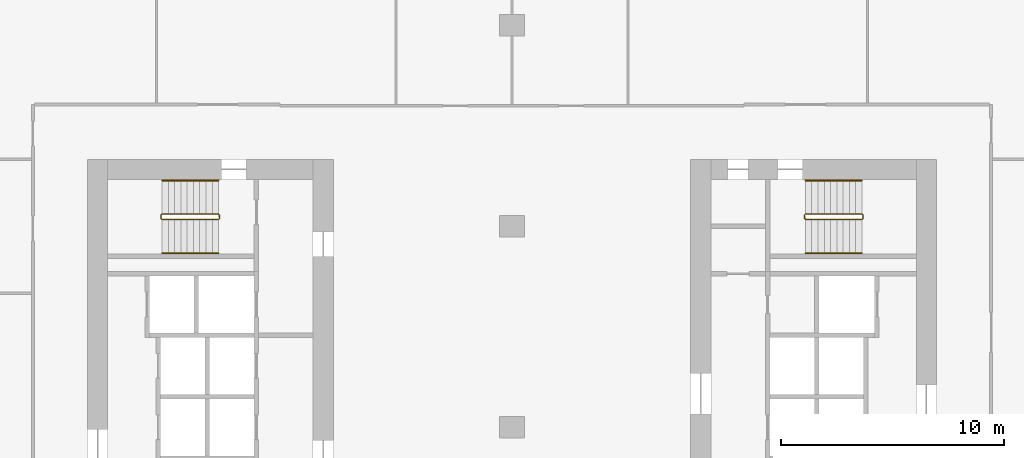
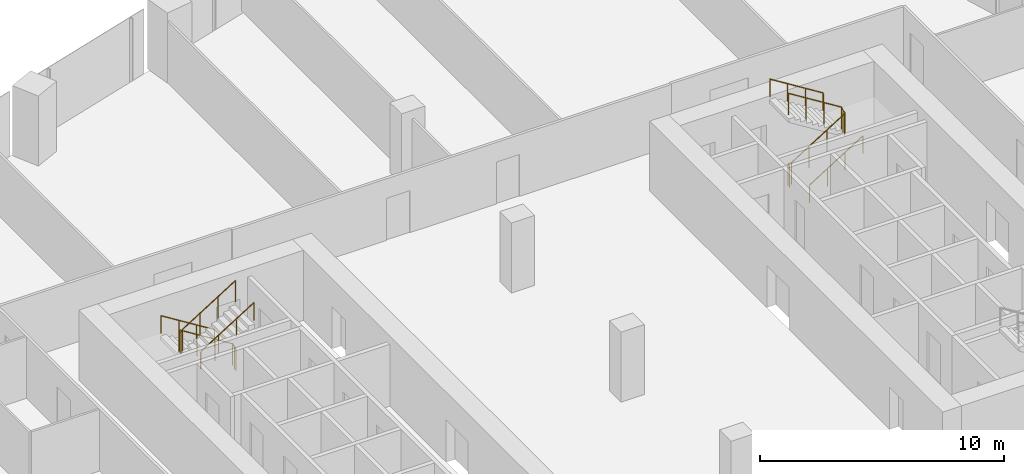
# One storey, part 31 of 31: 6 railings.
"""IFC4 building model written with IfcOpenShell, lengths in metres."""

from ifc_helpers import new_model, si_unit, direction, frame, origin, origin_2d, place, context, subcontext, project, spatial, circle, extrude, material, type_object, element, save


model = new_model("IFC4")

# Units and contexts
model_context = context("Model", 3, precision=1e-05, world=origin(), true_north=direction((0.0, 1.0)))
body_context = subcontext(model_context, "Body", "Model", "MODEL_VIEW")
ifc_project = project(units=[si_unit("LENGTHUNIT", "METRE"), si_unit("AREAUNIT", "SQUARE_METRE"), si_unit("VOLUMEUNIT", "CUBIC_METRE"), si_unit("PLANEANGLEUNIT", "RADIAN"), si_unit("MASSUNIT", "GRAM", prefix="KILO")], contexts=[model_context])

# Site, building, storey
site_placement = place(None, origin())
site = spatial("IfcSite", under=ifc_project, at=site_placement, CompositionType="ELEMENT")
building_placement = place(site_placement, origin())
building = spatial("IfcBuilding", under=site, at=building_placement, Name="Orlundy Tower", CompositionType="ELEMENT")
storey_placement = place(building_placement, frame((0.0, 0.0, 87.699951171875)))
storey = spatial("IfcBuildingStorey", under=building, at=storey_placement, Name="L21", CompositionType="ELEMENT", Elevation=87.699951171875)

# Railings
ifc_material_1 = material(Name="Steel balustrade", Category="steel")
railing_type_1 = type_object("IfcRailingType", Name="Stair Guard 1100", PredefinedType="GUARDRAIL", material=ifc_material_1)
railing_1_placement = place(storey_placement, frame((-13.090087890625, 9.5, 0.0)))
element("IfcRailing", 1, at=railing_1_placement, inside=storey, type_object=railing_type_1, Name="L21 ST-W1 stair guard 1", PredefinedType="GUARDRAIL", context=body_context, shape_type="SweptSolid", body=[
    extrude(circle(Radius=0.02392578125, at=origin_2d()), frame((0.0, 0.0, 1.076171875), z_axis=(0.0, -1.0, 0.0), x_axis=(1.0, 0.0, 0.0)), (0.0, 0.0, 1.0), 0.14990234375),
    extrude(circle(Radius=0.02392578125, at=origin_2d()), frame((0.0, -0.14990234375, 1.076171875), z_axis=(-0.18420542264, 0.739530593833, 0.647427882513), x_axis=(-0.970351222016, -0.241699205484, 0.0)), (0.0, 0.0, 1.0), 0.270263671875),
    extrude(circle(Radius=0.02392578125, at=origin_2d()), frame((-0.0498046875, 0.050048828125, 1.2509765625), z_axis=(-0.848007534815, 0.0, 0.529984170421), x_axis=(0.0, -1.0, 0.0)), (0.0, 0.0, 1.0), 2.9716796875),
    extrude(circle(Radius=0.02392578125, at=origin_2d()), frame((-2.56982421875, 0.050048828125, 2.826171875), z_axis=(-0.707106781187, -0.707106781187, 0.0), x_axis=(0.707106781187, -0.707106781187, 0.0)), (0.0, 0.0, 1.0), 0.07080078125),
    extrude(circle(Radius=0.02392578125, at=origin_2d()), frame((-2.619873046875, 0.0, 2.826171875), z_axis=(0.0, -1.0, 0.0), x_axis=(1.0, 0.0, 0.0)), (0.0, 0.0, 1.0), 0.14990234375),
    extrude(circle(Radius=0.02392578125, at=origin_2d()), frame((-2.619873046875, -0.14990234375, 2.826171875), z_axis=(0.265065253269, -0.265065253269, 0.927081885822), x_axis=(0.707106781187, 0.707106781187, 0.0)), (0.0, 0.0, 1.0), 0.188720703125),
    extrude(circle(Radius=0.02392578125, at=origin_2d()), frame((-2.56982421875, -0.199951171875, 3.0009765625), z_axis=(0.848007534815, 0.0, 0.529984170421), x_axis=(0.0, 1.0, 0.0)), (0.0, 0.0, 1.0), 2.9716796875),
    extrude(circle(Radius=0.02099609375, at=origin_2d()), origin(), (0.0, 0.0, 1.0), 1.052001953125),
    extrude(circle(Radius=0.02099609375, at=origin_2d()), frame((0.0, -0.14990234375, 0.0)), (0.0, 0.0, 1.0), 1.052001953125),
    extrude(circle(Radius=0.02099609375, at=origin_2d()), frame((-0.0498046875, 0.050048828125, 0.175048828125)), (0.0, 0.0, 1.0), 1.052001953125),
    extrude(circle(Radius=0.02099609375, at=origin_2d()), frame((-0.889892578125, 0.050048828125, 0.699951171875)), (0.0, 0.0, 1.0), 1.052001953125),
    extrude(circle(Radius=0.02099609375, at=origin_2d()), frame((-1.729736328125, 0.050048828125, 1.22509765625)), (0.0, 0.0, 1.0), 1.052001953125),
    extrude(circle(Radius=0.02099609375, at=origin_2d()), frame((-2.56982421875, 0.050048828125, 1.75)), (0.0, 0.0, 1.0), 1.052001953125),
    extrude(circle(Radius=0.02099609375, at=origin_2d()), frame((-2.619873046875, 0.0, 1.75)), (0.0, 0.0, 1.0), 1.052001953125),
    extrude(circle(Radius=0.02099609375, at=origin_2d()), frame((-2.619873046875, -0.14990234375, 1.75)), (0.0, 0.0, 1.0), 1.052001953125),
    extrude(circle(Radius=0.02099609375, at=origin_2d()), frame((-2.56982421875, -0.199951171875, 1.925048828125)), (0.0, 0.0, 1.0), 1.052001953125),
    extrude(circle(Radius=0.02099609375, at=origin_2d()), frame((-1.729736328125, -0.199951171875, 2.449951171875)), (0.0, 0.0, 1.0), 1.052001953125),
    extrude(circle(Radius=0.02099609375, at=origin_2d()), frame((-0.889892578125, -0.199951171875, 2.97509765625)), (0.0, 0.0, 1.0), 1.052001953125),
    extrude(circle(Radius=0.02099609375, at=origin_2d()), frame((-0.0498046875, -0.199951171875, 3.5)), (0.0, 0.0, 1.0), 1.052001953125),
])
railing_2_placement = place(storey_placement, frame((13.090087890625, 9.35009765625, 0.0)))
element("IfcRailing", 2, at=railing_2_placement, inside=storey, type_object=railing_type_1, Name="L21 ST-E2 stair guard 1", PredefinedType="GUARDRAIL", context=body_context, shape_type="SweptSolid", body=[
    extrude(circle(Radius=0.02392578125, at=origin_2d()), frame((0.0, 0.0, 1.076171875), z_axis=(0.0, 1.0, 0.0), x_axis=(-1.0, 0.0, 0.0)), (0.0, 0.0, 1.0), 0.14990234375),
    extrude(circle(Radius=0.02392578125, at=origin_2d()), frame((0.0, 0.14990234375, 1.076171875), z_axis=(0.18420542264, -0.739530593833, 0.647427882513), x_axis=(0.970351222016, 0.241699205484, 0.0)), (0.0, 0.0, 1.0), 0.270263671875),
    extrude(circle(Radius=0.02392578125, at=origin_2d()), frame((0.0498046875, -0.050048828125, 1.2509765625), z_axis=(0.848007534815, 0.0, 0.529984170421), x_axis=(0.0, 1.0, 0.0)), (0.0, 0.0, 1.0), 2.9716796875),
    extrude(circle(Radius=0.02392578125, at=origin_2d()), frame((2.56982421875, -0.050048828125, 2.826171875), z_axis=(0.707106781187, 0.707106781187, 0.0), x_axis=(-0.707106781187, 0.707106781187, 0.0)), (0.0, 0.0, 1.0), 0.07080078125),
    extrude(circle(Radius=0.02392578125, at=origin_2d()), frame((2.619873046875, 0.0, 2.826171875), z_axis=(0.0, 1.0, 0.0), x_axis=(-1.0, 0.0, 0.0)), (0.0, 0.0, 1.0), 0.14990234375),
    extrude(circle(Radius=0.02392578125, at=origin_2d()), frame((2.619873046875, 0.14990234375, 2.826171875), z_axis=(-0.265065253269, 0.265065253269, 0.927081885822), x_axis=(-0.707106781187, -0.707106781187, 0.0)), (0.0, 0.0, 1.0), 0.188720703125),
    extrude(circle(Radius=0.02392578125, at=origin_2d()), frame((2.56982421875, 0.199951171875, 3.0009765625), z_axis=(-0.848007534815, 0.0, 0.529984170421), x_axis=(0.0, -1.0, 0.0)), (0.0, 0.0, 1.0), 2.9716796875),
    extrude(circle(Radius=0.02099609375, at=origin_2d()), origin(), (0.0, 0.0, 1.0), 1.052001953125),
    extrude(circle(Radius=0.02099609375, at=origin_2d()), frame((0.0, 0.14990234375, 0.0)), (0.0, 0.0, 1.0), 1.052001953125),
    extrude(circle(Radius=0.02099609375, at=origin_2d()), frame((0.0498046875, -0.050048828125, 0.175048828125)), (0.0, 0.0, 1.0), 1.052001953125),
    extrude(circle(Radius=0.02099609375, at=origin_2d()), frame((0.889892578125, -0.050048828125, 0.699951171875)), (0.0, 0.0, 1.0), 1.052001953125),
    extrude(circle(Radius=0.02099609375, at=origin_2d()), frame((1.729736328125, -0.050048828125, 1.22509765625)), (0.0, 0.0, 1.0), 1.052001953125),
    extrude(circle(Radius=0.02099609375, at=origin_2d()), frame((2.56982421875, -0.050048828125, 1.75)), (0.0, 0.0, 1.0), 1.052001953125),
    extrude(circle(Radius=0.02099609375, at=origin_2d()), frame((2.619873046875, 0.0, 1.75)), (0.0, 0.0, 1.0), 1.052001953125),
    extrude(circle(Radius=0.02099609375, at=origin_2d()), frame((2.619873046875, 0.14990234375, 1.75)), (0.0, 0.0, 1.0), 1.052001953125),
    extrude(circle(Radius=0.02099609375, at=origin_2d()), frame((2.56982421875, 0.199951171875, 1.925048828125)), (0.0, 0.0, 1.0), 1.052001953125),
    extrude(circle(Radius=0.02099609375, at=origin_2d()), frame((1.729736328125, 0.199951171875, 2.449951171875)), (0.0, 0.0, 1.0), 1.052001953125),
    extrude(circle(Radius=0.02099609375, at=origin_2d()), frame((0.889892578125, 0.199951171875, 2.97509765625)), (0.0, 0.0, 1.0), 1.052001953125),
    extrude(circle(Radius=0.02099609375, at=origin_2d()), frame((0.0498046875, 0.199951171875, 3.5)), (0.0, 0.0, 1.0), 1.052001953125),
])
ifc_material_2 = material(Name="Steel handrail", Category="steel")
railing_type_2 = type_object("IfcRailingType", Name="Stair Handrail 900", PredefinedType="HANDRAIL", material=ifc_material_2)
railing_3_placement = place(storey_placement, frame((-13.139892578125, 11.050048828125, 0.175048828125)))
element("IfcRailing", 3, at=railing_3_placement, inside=storey, type_object=railing_type_2, Name="L21 ST-W1 stair handrail 1", PredefinedType="HANDRAIL", context=body_context, shape_type="SweptSolid", body=[
    extrude(circle(Radius=0.02392578125, at=origin_2d()), frame((0.0, 0.0, 0.8759765625), z_axis=(-0.848007534815, 0.0, 0.529984170421), x_axis=(0.0, -1.0, 0.0)), (0.0, 0.0, 1.0), 2.9716796875),
    extrude(circle(Radius=0.02099609375, at=origin_2d()), origin(), (0.0, 0.0, 1.0), 0.851806640625),
    extrude(circle(Radius=0.02099609375, at=origin_2d()), frame((-0.840087890625, 0.0, 0.52490234375)), (0.0, 0.0, 1.0), 0.851806640625),
    extrude(circle(Radius=0.02099609375, at=origin_2d()), frame((-1.679931640625, 0.0, 1.050048828125)), (0.0, 0.0, 1.0), 0.851806640625),
    extrude(circle(Radius=0.02099609375, at=origin_2d()), frame((-2.52001953125, 0.0, 1.574951171875)), (0.0, 0.0, 1.0), 0.851806640625),
])
for number, where, name in (
    (4, (-15.659912109375, 7.800048828125, 1.925048828125), "L21 ST-W1 stair handrail 2"),
    (5, (13.139892578125, 7.800048828125, 0.175048828125), "L21 ST-E2 stair handrail 1"),
):
    element("IfcRailing", number, at=place(storey_placement, frame(where)), inside=storey, type_object=railing_type_2, Name=name, PredefinedType="HANDRAIL", context=body_context, shape_type="SweptSolid", body=[
        extrude(circle(Radius=0.02392578125, at=origin_2d()), frame((0.0, 0.0, 0.8759765625), z_axis=(0.848007534815, 0.0, 0.529984170421), x_axis=(0.0, 1.0, 0.0)), (0.0, 0.0, 1.0), 2.9716796875),
        extrude(circle(Radius=0.02099609375, at=origin_2d()), origin(), (0.0, 0.0, 1.0), 0.851806640625),
        extrude(circle(Radius=0.02099609375, at=origin_2d()), frame((0.840087890625, 0.0, 0.52490234375)), (0.0, 0.0, 1.0), 0.851806640625),
        extrude(circle(Radius=0.02099609375, at=origin_2d()), frame((1.679931640625, 0.0, 1.050048828125)), (0.0, 0.0, 1.0), 0.851806640625),
        extrude(circle(Radius=0.02099609375, at=origin_2d()), frame((2.52001953125, 0.0, 1.574951171875)), (0.0, 0.0, 1.0), 0.851806640625),
    ])
railing_4_placement = place(storey_placement, frame((15.659912109375, 11.050048828125, 1.925048828125)))
element("IfcRailing", 6, at=railing_4_placement, inside=storey, type_object=railing_type_2, Name="L21 ST-E2 stair handrail 2", PredefinedType="HANDRAIL", context=body_context, shape_type="SweptSolid", body=[
    extrude(circle(Radius=0.02392578125, at=origin_2d()), frame((0.0, 0.0, 0.8759765625), z_axis=(-0.848007534815, 0.0, 0.529984170421), x_axis=(0.0, -1.0, 0.0)), (0.0, 0.0, 1.0), 2.9716796875),
    extrude(circle(Radius=0.02099609375, at=origin_2d()), origin(), (0.0, 0.0, 1.0), 0.851806640625),
    extrude(circle(Radius=0.02099609375, at=origin_2d()), frame((-0.840087890625, 0.0, 0.52490234375)), (0.0, 0.0, 1.0), 0.851806640625),
    extrude(circle(Radius=0.02099609375, at=origin_2d()), frame((-1.679931640625, 0.0, 1.050048828125)), (0.0, 0.0, 1.0), 0.851806640625),
    extrude(circle(Radius=0.02099609375, at=origin_2d()), frame((-2.52001953125, 0.0, 1.574951171875)), (0.0, 0.0, 1.0), 0.851806640625),
])

save(model, "model.ifc")
